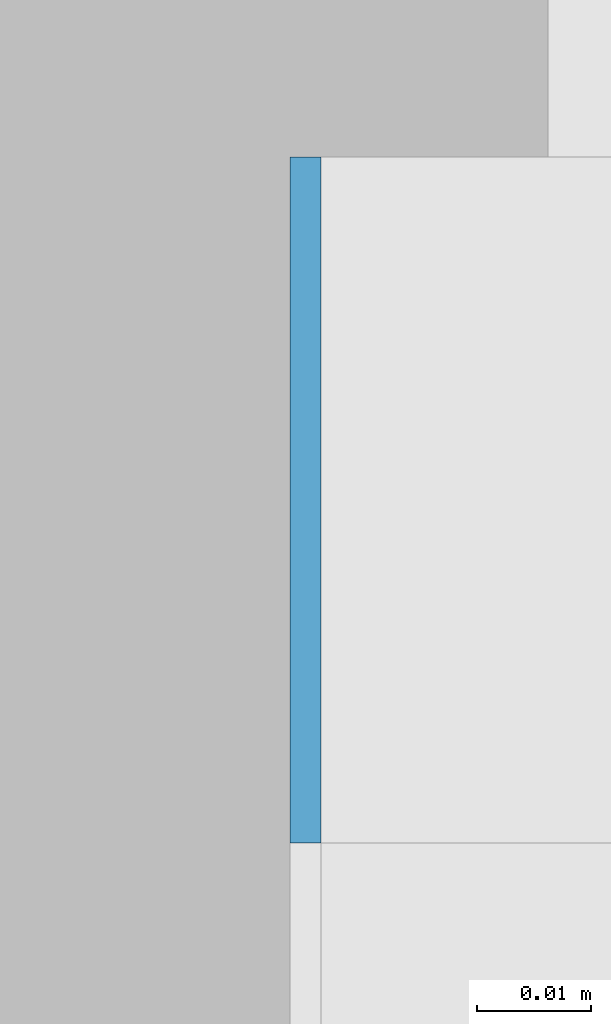
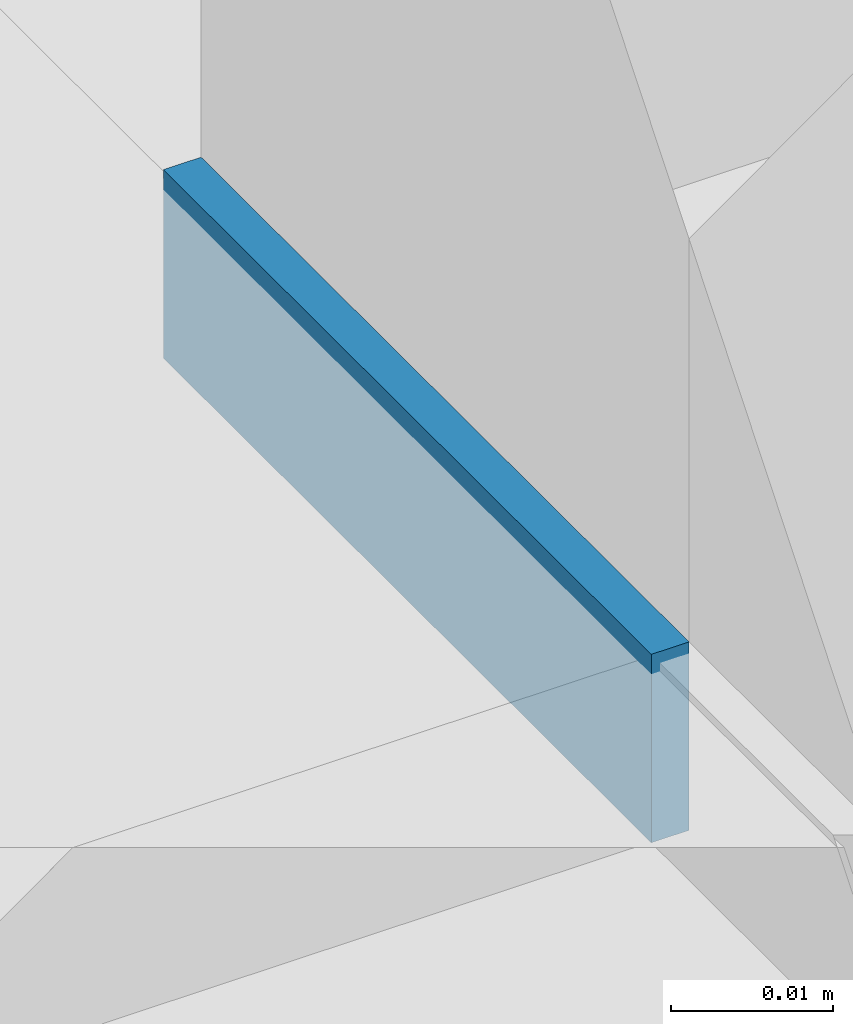
# One storey, part 606 of 646: 1 discrete accessory.
"""IFC4 building model written with IfcOpenShell, lengths in metres."""

from ifc_helpers import new_model, si_unit, direction, frame, origin, origin_2d, place, context, subcontext, project, spatial, rectangle, extrude, material, type_object, element, save


model = new_model("IFC4")

# Units and contexts
model_context = context("Model", 3, precision=1e-05, world=origin(), true_north=direction((0.0, 1.0)))
body_context = subcontext(model_context, "Body", "Model", "MODEL_VIEW")
ifc_project = project(units=[si_unit("LENGTHUNIT", "METRE"), si_unit("AREAUNIT", "SQUARE_METRE"), si_unit("VOLUMEUNIT", "CUBIC_METRE"), si_unit("PLANEANGLEUNIT", "RADIAN"), si_unit("MASSUNIT", "GRAM", prefix="KILO")], contexts=[model_context])

# Site, building, storey
site_placement = place(None, origin())
site = spatial("IfcSite", under=ifc_project, at=site_placement, CompositionType="ELEMENT")
building_placement = place(site_placement, origin())
building = spatial("IfcBuilding", under=site, at=building_placement, Name="Silverbay Arena", CompositionType="ELEMENT")
storey_placement = place(building_placement, frame((0.0, 0.0, 33.5)))
storey = spatial("IfcBuildingStorey", under=building, at=storey_placement, Name="L05", CompositionType="ELEMENT", Elevation=33.5)

# Discrete accessory
ifc_material = material(Name="Steel S355", Category="steel")
discrete_accessory_type = type_object("IfcDiscreteAccessoryType", Name="Steel bracket plate", PredefinedType="BRACKET", material=ifc_material)
discrete_accessory_placement = place(storey_placement, frame((207.128662109375, 126.030029296875, 4.0), z_axis=(0.0, 0.0, 1.0), x_axis=(1.0, 0.0, 0.0)))
element("IfcDiscreteAccessory", 1, at=discrete_accessory_placement, inside=storey, type_object=discrete_accessory_type, Name="Curtain wall packing plate", PredefinedType="BRACKET", context=body_context, shape_type="SweptSolid", body=[
    extrude(rectangle(XDim=0.002685546875, YDim=0.06005859375, at=origin_2d()), origin(), (0.0, 0.0, 1.0), 0.01416015625),
])

save(model, "model.ifc")
